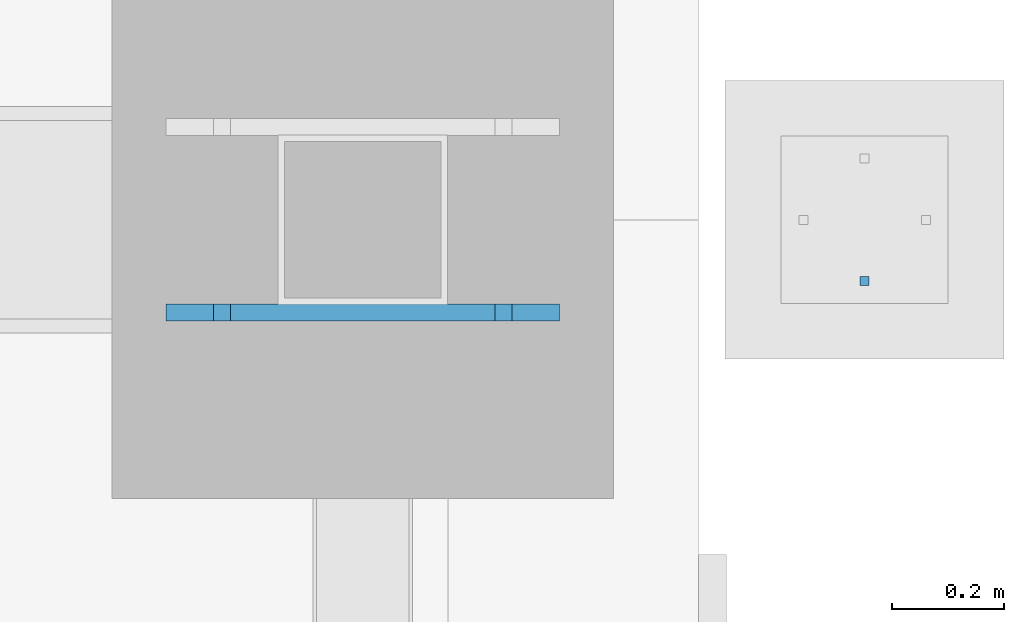
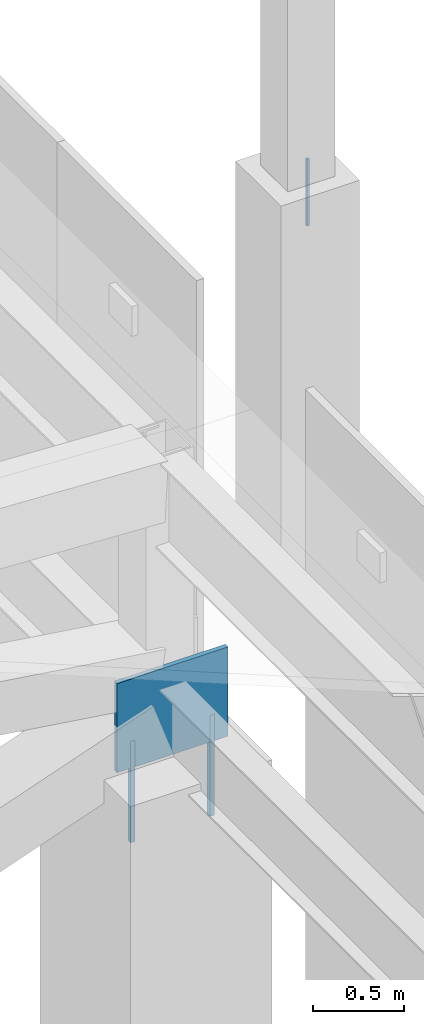
# One storey, part 197 of 278: 3 mechanical fasteners, 1 discrete accessory.
"""IFC4 building model written with IfcOpenShell, lengths in metres."""

from ifc_helpers import new_model, si_unit, direction, frame, origin, origin_2d, place, context, subcontext, project, spatial, rectangle, extrude, material, layer, layer_set, type_object, element, save


model = new_model("IFC4")

# Units and contexts
model_context = context("Model", 3, precision=1e-05, world=origin(), true_north=direction((0.0, 1.0)))
body_context = subcontext(model_context, "Body", "Model", "MODEL_VIEW")
ifc_project = project(units=[si_unit("LENGTHUNIT", "METRE"), si_unit("AREAUNIT", "SQUARE_METRE"), si_unit("VOLUMEUNIT", "CUBIC_METRE"), si_unit("PLANEANGLEUNIT", "RADIAN"), si_unit("MASSUNIT", "GRAM", prefix="KILO")], contexts=[model_context])

# Site, building, storey
site_placement = place(None, origin())
site = spatial("IfcSite", under=ifc_project, at=site_placement, CompositionType="ELEMENT")
building_placement = place(site_placement, origin())
building = spatial("IfcBuilding", under=site, at=building_placement, Name="Ogive Plaza Stadium", CompositionType="ELEMENT")
storey_placement = place(building_placement, frame((0.0, 0.0, 29.0)))
storey = spatial("IfcBuildingStorey", under=building, at=storey_placement, Name="Roof", CompositionType="ELEMENT", Elevation=29.0)

# Mechanical fasteners
ifc_material_1 = material(Name="Steel ASTM A992 Grade 50", Category="steel")
mechanical_fastener_type_1 = type_object("IfcMechanicalFastenerType", Name="Anchor bolt M30 x 600", PredefinedType="ANCHORBOLT", material=ifc_material_1)
for number, where, z_axis, x_axis, name in (
    (1, (84.25244140625, -7.66650390625, 3.0), (0.0, 0.0, 1.0), (1.0, 0.0, 0.0), "ANCHOR BOLT 05 BF 2.1"),
    (2, (83.74755859375, -7.66650390625, 3.0), (0.0, 0.0, 1.0), (1.0, 0.0, 0.0), "ANCHOR BOLT 05 BF 2.2"),
):
    element("IfcMechanicalFastener", number, at=place(storey_placement, frame(where, z_axis=z_axis, x_axis=x_axis)), inside=storey, type_object=mechanical_fastener_type_1, Name=name, PredefinedType="ANCHORBOLT", context=body_context, shape_type="SweptSolid", body=[
        extrude(rectangle(XDim=0.030029296875, YDim=0.030029296875, at=origin_2d()), origin(), (0.0, 0.0, 1.0), 0.679931640625),
    ])
ifc_material_2 = material(Name="Steel ASTM A992 Grade 50", Category="steel")
mechanical_fastener_type_2 = type_object("IfcMechanicalFastenerType", Name="Spire anchor bolt M16 x 450", PredefinedType="ANCHORBOLT", material=ifc_material_2)
mechanical_fastener_placement = place(storey_placement, frame((84.89990234375, -7.610107421875, 6.7001953125), z_axis=(0.0, 0.0, 1.0), x_axis=(1.0, 0.0, 0.0)))
element("IfcMechanicalFastener", 3, at=mechanical_fastener_placement, inside=storey, type_object=mechanical_fastener_type_2, Name="SPIRE ANCHOR BOLT 05 4", PredefinedType="ANCHORBOLT", context=body_context, shape_type="SweptSolid", body=[
    extrude(rectangle(XDim=0.01611328125, YDim=0.01611328125, at=origin_2d()), origin(), (0.0, 0.0, 1.0), 0.449951171875),
])

# Discrete accessory
ifc_material_3 = material(Name="Steel ASTM A992 Grade 50", Category="steel")
ifc_layer = layer(ifc_material_3, 0.030029296875)
ifc_layer_set = layer_set([ifc_layer], Name="Steel ASTM A992 Grade 50")
discrete_accessory_type = type_object("IfcDiscreteAccessoryType", Name="Truss back-stay foot cleat plate 30", PredefinedType="ANCHORPLATE", material=ifc_layer_set)
discrete_accessory_placement = place(storey_placement, frame((84.0, -7.66650390625, 3.5), z_axis=(0.0, 0.0, 1.0), x_axis=(1.0, 0.0, 0.0)))
element("IfcDiscreteAccessory", 4, at=discrete_accessory_placement, inside=storey, type_object=discrete_accessory_type, Name="TRUSS BACK-STAY FOOT CLEAT PLATE 05 2", PredefinedType="ANCHORPLATE", context=body_context, shape_type="SweptSolid", body=[
    extrude(rectangle(XDim=0.704833984375, YDim=0.030029296875, at=origin_2d()), origin(), (0.0, 0.0, 1.0), 0.60009765625),
])

save(model, "model.ifc")
